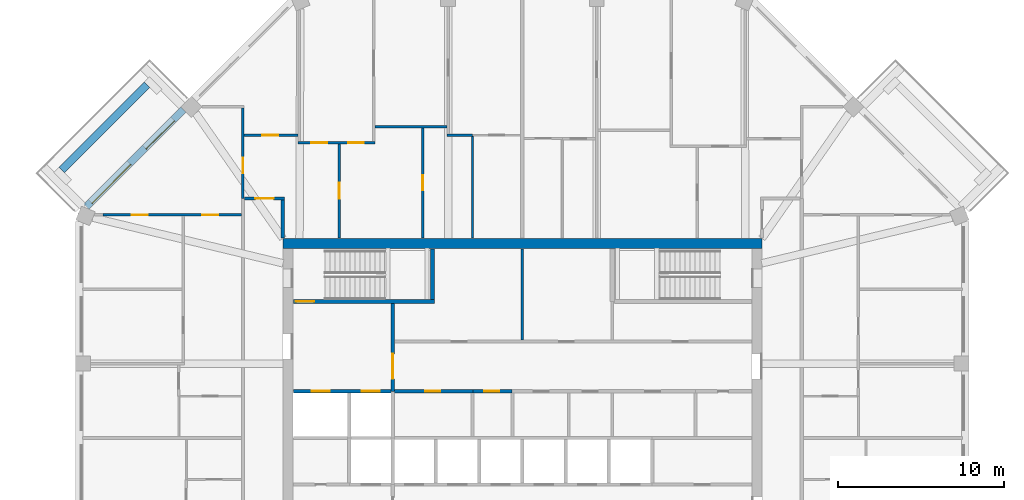
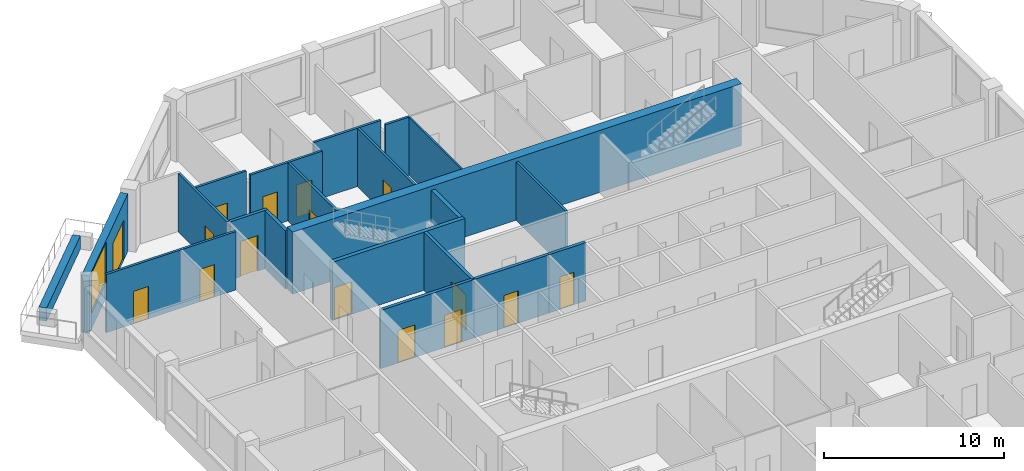
# One storey, part 7 of 11: 21 walls, 16 doors, 1 window, 17 openings.
"""IFC4 building model written with IfcOpenShell, lengths in metres."""

import ifcopenshell
import ifcopenshell.guid

model = None  # the IFC model being written
_history = None  # IfcOwnerHistory: only IFC2X3 demands one
_inside = {}  # id of a spatial element -> (the spatial element, [elements in it])
_under = {}  # id of a project, library or spatial element -> (it, [spatial elements below it])
_declared = {}  # id of a project -> (the project, [libraries it declares])
_typed = {}  # id of a type object -> (the type object, [elements of that type])
_made_of = {}  # id of a material, layer set ... -> (it, [elements and type objects made of it])


def new_model(schema):
    """Start an empty IFC model of exactly this schema.

    Asked for "IFC4X3", IfcOpenShell would pick the latest addendum, in which some entities
    have other attributes; the version numbers below select the first issue.
    IFC2X3 requires an IfcOwnerHistory on every rooted entity: one is made here for all.
    """
    global model, _history
    if schema == "IFC4X3":
        model = ifcopenshell.file(schema_version=(4, 3, 0, 0))
    else:
        model = ifcopenshell.file(schema=schema)
    _inside.clear()
    _under.clear()
    _declared.clear()
    _typed.clear()
    _made_of.clear()
    _history = None
    if model.schema == "IFC2X3":
        org = make("IfcOrganization", Name="unknown")
        user = make(
            "IfcPersonAndOrganization",
            ThePerson=make("IfcPerson", FamilyName="unknown"),
            TheOrganization=org,
        )
        app = make(
            "IfcApplication",
            ApplicationDeveloper=org,
            Version="unknown",
            ApplicationFullName="unknown",
            ApplicationIdentifier="unknown",
        )
        _history = make(
            "IfcOwnerHistory",
            OwningUser=user,
            OwningApplication=app,
            ChangeAction="ADDED",
            CreationDate=0,
        )
    return model


def make(cls, **values):
    """One entity of the class cls with the attributes given. An attribute that is None is left unset."""
    return model.create_entity(
        cls, **{name: value for name, value in values.items() if value is not None}
    )


def rooted(cls, **values):
    """An entity with a GlobalId (a new one), such as an element, a storey or a relation."""
    return make(cls, GlobalId=ifcopenshell.guid.new(), OwnerHistory=_history, **values)


def si_unit(unit_type, name, prefix=None):
    """IfcSIUnit, for example si_unit("LENGTHUNIT", "METRE", prefix="MILLI")."""
    return make("IfcSIUnit", UnitType=unit_type, Prefix=prefix, Name=name)


def assignment(units):
    """IfcUnitAssignment: the units of a project."""
    return None if units is None else make("IfcUnitAssignment", Units=units)


def point(xyz):
    """IfcCartesianPoint."""
    return None if xyz is None else make("IfcCartesianPoint", Coordinates=xyz)


def direction(xyz):
    """IfcDirection."""
    return None if xyz is None else make("IfcDirection", DirectionRatios=xyz)


def frame(location, z_axis=None, x_axis=None):
    """IfcAxis2Placement3D, a coordinate frame: its origin and axes. An axis left out is left unset."""
    return make(
        "IfcAxis2Placement3D",
        Location=point(location),
        Axis=direction(z_axis),
        RefDirection=direction(x_axis),
    )


def frame_2d(location, x_axis=None):
    """IfcAxis2Placement2D, a coordinate frame in the plane: its origin and x axis."""
    return make(
        "IfcAxis2Placement2D", Location=point(location), RefDirection=direction(x_axis)
    )


def origin():
    """The frame at (0, 0, 0) with its axes left unset."""
    return frame((0.0, 0.0, 0.0))


def place(relative_to, where):
    """IfcLocalPlacement: puts the frame where relative to a parent placement (None: the world)."""
    return make(
        "IfcLocalPlacement", PlacementRelTo=relative_to, RelativePlacement=where
    )


def context(
    kind, dimensions, precision=None, world=None, true_north=None, identifier=None
):
    """IfcGeometricRepresentationContext, for example the 3D "Model" context."""
    return make(
        "IfcGeometricRepresentationContext",
        ContextIdentifier=identifier,
        ContextType=kind,
        CoordinateSpaceDimension=dimensions,
        Precision=precision,
        WorldCoordinateSystem=world,
        TrueNorth=true_north,
    )


def subcontext(parent, identifier, kind, view, scale=None):
    """IfcGeometricRepresentationSubContext, for example "Body" below "Model"."""
    return make(
        "IfcGeometricRepresentationSubContext",
        ContextIdentifier=identifier,
        ContextType=kind,
        ParentContext=parent,
        TargetScale=scale,
        TargetView=view,
    )


def project(units=None, contexts=None):
    """IfcProject with its units and contexts."""
    return rooted(
        "IfcProject",
        Name="project",
        RepresentationContexts=contexts,
        UnitsInContext=assignment(units),
    )


def spatial(cls, under=None, at=None, **own):
    """A site, building, storey or space (cls), placed at a placement, below another one or the project."""
    s = rooted(cls, ObjectPlacement=at, **own)
    if under is not None:
        _under.setdefault(under.id(), (under, []))[1].append(s)
    return s


def profile(cls, at=None, kind="AREA", **sizes):
    """A parametric profile (cls). Its sizes go by their IFC names, for example OverallWidth=200.0."""
    return make(cls, ProfileType=kind, Position=at, **sizes)


def rectangle(**sizes):
    """IfcRectangleProfileDef."""
    return profile("IfcRectangleProfileDef", **sizes)


def extrude(swept, where, along, depth):
    """IfcExtrudedAreaSolid: the profile swept, set in the frame where, extruded along a direction by depth."""
    return make(
        "IfcExtrudedAreaSolid",
        SweptArea=swept,
        Position=where,
        ExtrudedDirection=direction(along),
        Depth=depth,
    )


def shape(context_of_items, identifier, shape_type, items):
    """IfcShapeRepresentation: the items that make up one representation, for example the "Body"."""
    return make(
        "IfcShapeRepresentation",
        ContextOfItems=context_of_items,
        RepresentationIdentifier=identifier,
        RepresentationType=shape_type,
        Items=items,
    )


def material(Name=None, Category=None):
    """IfcMaterial."""
    return make("IfcMaterial", Name=Name, Category=Category)


def layer(
    of_material, thickness, ventilated=None, Name=None, Category=None, Priority=None
):
    """IfcMaterialLayer: one layer of a wall or slab, of a material (None: an air gap)."""
    return make(
        "IfcMaterialLayer",
        Material=of_material,
        LayerThickness=thickness,
        IsVentilated=ventilated,
        Name=Name,
        Category=Category,
        Priority=Priority,
    )


def layer_set(layers, Name=None):
    """IfcMaterialLayerSet."""
    return make("IfcMaterialLayerSet", MaterialLayers=layers, LayerSetName=Name)


def made_of(thing, what):
    """Note that an element or type object is made of a material, layer set ...; save() writes the relation."""
    if what is not None:
        _made_of.setdefault(what.id(), (what, []))[1].append(thing)
    return thing


def type_object(cls, material=None, **own):
    """A type object (cls), such as IfcWallType, which elements share."""
    return made_of(rooted(cls, **own), material)


def element(
    cls,
    number,
    at=None,
    inside=None,
    cuts=None,
    type_object=None,
    material=None,
    context=None,
    identifier="Body",
    shape_type=None,
    held_by="IfcProductDefinitionShape",
    body=None,
    shapes=None,
    **own,
):
    """One element of the class cls, such as IfcWall. Its Tag is "e" and its number.

    at: its placement. inside: the storey or other place that contains it. cuts: it is an
    opening in that element (IfcRelVoidsElement). A single representation is given by context,
    identifier, shape_type and body (its items); several are given by shapes. held_by: the class
    of the entity that holds the representations. save() writes the other relations.
    """
    e = rooted(cls, Tag="e%d" % number, ObjectPlacement=at, **own)
    if body is not None:
        shapes = [shape(context, identifier, shape_type, body)]
    if shapes is not None:
        e.Representation = make(held_by, Representations=shapes)
    if inside is not None:
        _inside.setdefault(inside.id(), (inside, []))[1].append(e)
    if cuts is not None:
        rooted(
            "IfcRelVoidsElement", RelatingBuildingElement=cuts, RelatedOpeningElement=e
        )
    if type_object is not None:
        _typed.setdefault(type_object.id(), (type_object, []))[1].append(e)
    return made_of(e, material)


def fill(opening, filler):
    """IfcRelFillsElement: the door or window that sits in an opening."""
    return rooted(
        "IfcRelFillsElement",
        RelatingOpeningElement=opening,
        RelatedBuildingElement=filler,
    )


def aggregate(whole, parts):
    """IfcRelAggregates: a whole, such as a stair, and the parts it consists of."""
    return rooted("IfcRelAggregates", RelatingObject=whole, RelatedObjects=parts)


def save(model, path):
    """Write the relations noted so far, then the file.

    IfcRelAggregates (storeys below a building ...), IfcRelContainedInSpatialStructure (elements
    in a storey), IfcRelDefinesByType, IfcRelAssociatesMaterial and IfcRelDeclares: one each for
    every whole, place, type object, material and project.
    """
    for whole, parts in _under.values():
        aggregate(whole, parts)
    for where, things in _inside.values():
        rooted(
            "IfcRelContainedInSpatialStructure",
            RelatedElements=things,
            RelatingStructure=where,
        )
    for kind, things in _typed.values():
        rooted("IfcRelDefinesByType", RelatedObjects=things, RelatingType=kind)
    for what, things in _made_of.values():
        rooted("IfcRelAssociatesMaterial", RelatedObjects=things, RelatingMaterial=what)
    for by, libraries in _declared.values():
        rooted("IfcRelDeclares", RelatingContext=by, RelatedDefinitions=libraries)
    model.write(path)


model = new_model("IFC4")

# Units and contexts
model_context = context("Model", 3, precision=1e-05, world=origin(), true_north=direction((0.0, 1.0)))
body_context = subcontext(model_context, "Body", "Model", "MODEL_VIEW")
ifc_project = project(units=[si_unit("LENGTHUNIT", "METRE"), si_unit("AREAUNIT", "SQUARE_METRE"), si_unit("VOLUMEUNIT", "CUBIC_METRE"), si_unit("PLANEANGLEUNIT", "RADIAN"), si_unit("MASSUNIT", "GRAM", prefix="KILO")], contexts=[model_context])

# Site, building, storey
site_placement = place(None, origin())
site = spatial("IfcSite", under=ifc_project, at=site_placement, CompositionType="ELEMENT")
building_placement = place(site_placement, origin())
building = spatial("IfcBuilding", under=site, at=building_placement, Name="Msitu Wima Residences", CompositionType="ELEMENT")
storey_placement = place(building_placement, frame((0.0, 0.0, 234.89990234375)))
storey = spatial("IfcBuildingStorey", under=building, at=storey_placement, Name="L54", CompositionType="ELEMENT", Elevation=234.89990234375)

# Wall
ifc_material_1 = material(Name="Facing brick")
ifc_layer_1 = layer(ifc_material_1, 0.06494140625, Name="Facing brick")
ifc_material_2 = material(Name="Concrete C40/50", Category="concrete")
ifc_layer_2 = layer(ifc_material_2, 0.156005859375, Name="Concrete C40/50")
ifc_material_3 = material(Name="Waterproofing membrane")
ifc_layer_3 = layer(ifc_material_3, 0.00390625, Name="Waterproofing membrane")
ifc_material_4 = material(Name="Planting soil and planting")
ifc_layer_4 = layer(ifc_material_4, 0.22509765625, Name="Planting soil and planting")
ifc_layer_set_1 = layer_set([ifc_layer_1, ifc_layer_2, ifc_layer_3, ifc_layer_4], Name="Concrete C40/50")
wall_type_1 = type_object("IfcWallType", Name="Balcony planter PLANTER PL450", PredefinedType="USERDEFINED", material=ifc_layer_set_1)
wall_1_placement = place(storey_placement, frame((-22.572265625, 21.228759765625, 0.0), z_axis=(0.0, 0.0, 1.0), x_axis=(-0.707106781187, -0.707106781187, 0.0)))
element("IfcWall", 1, at=wall_1_placement, inside=storey, type_object=wall_type_1, Name="Balcony planter NW1 L54", ObjectType="PLANTER", PredefinedType="USERDEFINED", context=body_context, shape_type="SweptSolid", body=[
    extrude(rectangle(XDim=7.23828125, YDim=0.449951171875, at=frame_2d((3.619140625, 0.0))), origin(), (0.0, 0.0, 1.0), 0.900146484375),
])

# Wall, openings, door, window
ifc_material_5 = material(Name="Brick (red buff mix)", Category="masonry")
ifc_layer_5 = layer(ifc_material_5, 0.449951171875)
ifc_layer_set_2 = layer_set([ifc_layer_5], Name="Brick (red buff mix)")
wall_type_2 = type_object("IfcWallType", Name="Brick infill wall BW450", PredefinedType="SOLIDWALL", material=ifc_layer_set_2)
wall_2_placement = place(storey_placement, frame((-20.380126953125, 19.743896484375, 0.0), z_axis=(0.0, 0.0, 1.0), x_axis=(-0.707106781187, -0.707106781187, 0.0)))
wall_2 = element("IfcWall", 2, at=wall_2_placement, inside=storey, type_object=wall_type_2, Name="Brick infill wall L54 NW1", PredefinedType="SOLIDWALL", context=body_context, shape_type="SweptSolid", body=[
    extrude(rectangle(XDim=8.251220703125, YDim=0.449951171875, at=frame_2d((4.12548828125, 0.0))), origin(), (0.0, 0.0, 1.0), 3.900146484375),
])
opening_1_placement = place(wall_2_placement, frame((0.86279296875, 0.0, 0.0)))
opening_1 = element("IfcOpeningElement", 3, at=opening_1_placement, cuts=wall_2, Name="Opening D52-54.004", PredefinedType="OPENING", context=body_context, shape_type="SweptSolid", body=[
    extrude(rectangle(XDim=2.39990234375, YDim=2.699951171875, at=frame_2d((1.199951171875, 1.35009765625))), frame((0.0, 0.23486328125, 0.0), z_axis=(0.0, -1.0, 0.0), x_axis=(1.0, 0.0, 0.0)), (0.0, 0.0, 1.0), 0.469970703125),
])
opening_2_placement = place(wall_2_placement, frame((4.57568359375, 0.0, 1.050048828125)))
opening_2 = element("IfcOpeningElement", 4, at=opening_2_placement, cuts=wall_2, Name="Opening W52-54.016", PredefinedType="OPENING", context=body_context, shape_type="SweptSolid", body=[
    extrude(rectangle(XDim=3.300048828125, YDim=2.699951171875, at=frame_2d((1.64990234375, 1.35009765625))), frame((0.0, 0.23486328125, 0.0), z_axis=(0.0, -1.0, 0.0), x_axis=(1.0, 0.0, 0.0)), (0.0, 0.0, 1.0), 0.469970703125),
])
ifc_material_6 = material(Name="Anodised aluminium, bronze finish, clear low-emissivity double glazing", Category="aluminium")
door_type_1 = type_object("IfcDoorType", Name="Balcony door D2400x2700", OperationType="SLIDING_TO_LEFT", PredefinedType="DOOR", material=ifc_material_6)
door_1_placement = place(opening_1_placement, origin())
door_1 = element("IfcDoor", 5, at=door_1_placement, inside=storey, type_object=door_type_1, Name="Balcony door L54 NW1", OperationType="SINGLE_SWING_LEFT", OverallHeight=2.699951171875, OverallWidth=2.39990234375, PredefinedType="DOOR", context=body_context, shape_type="SweptSolid", body=[
    extrude(rectangle(XDim=2.39990234375, YDim=2.699951171875, at=frame_2d((1.199951171875, 1.35009765625))), frame((0.0, 0.1298828125, 0.0), z_axis=(0.0, -1.0, 0.0), x_axis=(1.0, 0.0, 0.0)), (0.0, 0.0, 1.0), 0.050048828125),
])
fill(opening_1, door_1)
window_type = type_object("IfcWindowType", Name="Window W3300x2700", PartitioningType="DOUBLE_PANEL_VERTICAL", PredefinedType="WINDOW", material=ifc_material_6)
window_placement = place(opening_2_placement, origin())
window = element("IfcWindow", 6, at=window_placement, inside=storey, type_object=window_type, Name="Window L54 NW1.2", OverallHeight=2.699951171875, OverallWidth=3.300048828125, PartitioningType="SINGLE_PANEL", PredefinedType="WINDOW", context=body_context, shape_type="SweptSolid", body=[
    extrude(rectangle(XDim=3.300048828125, YDim=2.699951171875, at=frame_2d((1.64990234375, 1.35009765625))), frame((0.0, 0.135009765625, 0.0), z_axis=(0.0, -1.0, 0.0), x_axis=(1.0, 0.0, 0.0)), (0.0, 0.0, 1.0), 0.06005859375),
])
fill(opening_2, window)

# Wall
ifc_material_7 = material(Name="Concrete C50/60", Category="concrete")
ifc_layer_6 = layer(ifc_material_7, 0.60009765625)
ifc_layer_set_3 = layer_set([ifc_layer_6], Name="Concrete C50/60")
wall_type_3 = type_object("IfcWallType", Name="Core wall CW600 C50/60", PredefinedType="SHEAR", material=ifc_layer_set_3)
wall_3_placement = place(storey_placement, frame((-14.39990234375, 11.699951171875, 0.0), z_axis=(0.0, 0.0, 1.0), x_axis=(1.0, 0.0, 0.0)))
element("IfcWall", 7, at=wall_3_placement, inside=storey, type_object=wall_type_3, Name="Core wall", PredefinedType="SHEAR", context=body_context, shape_type="SweptSolid", body=[
    extrude(rectangle(XDim=28.7998046875, YDim=0.60009765625, at=frame_2d((14.39990234375, 0.0))), origin(), (0.0, 0.0, 1.0), 4.2001953125),
])

# Wall, opening, door
ifc_material_8 = material(Name="Plaster")
ifc_layer_7 = layer(ifc_material_8, 0.011962890625, Name="Plaster")
ifc_material_9 = material(Name="Concrete blockwork", Category="masonry")
ifc_layer_8 = layer(ifc_material_9, 0.176025390625, Name="Concrete blockwork")
ifc_layer_9 = layer(ifc_material_8, 0.011962890625, Name="Plaster")
ifc_layer_set_4 = layer_set([ifc_layer_7, ifc_layer_8, ifc_layer_9], Name="Concrete blockwork")
wall_type_4 = type_object("IfcWallType", Name="Corridor wall FW200", PredefinedType="PARTITIONING", material=ifc_layer_set_4)
wall_4_placement = place(storey_placement, frame((-16.699951171875, 14.39990234375, 0.0), z_axis=(0.0, 0.0, 1.0), x_axis=(1.0, 0.0, 0.0)))
wall_4 = element("IfcWall", 8, at=wall_4_placement, inside=storey, type_object=wall_type_4, Name="Corridor wall", PredefinedType="PARTITIONING", context=body_context, shape_type="SweptSolid", body=[
    extrude(rectangle(XDim=2.39990234375, YDim=0.199951171875, at=frame_2d((1.199951171875, 0.0))), origin(), (0.0, 0.0, 1.0), 3.9501953125),
])
opening_3_placement = place(wall_4_placement, frame((0.64990234375, 0.0, 0.0)))
opening_3 = element("IfcOpeningElement", 9, at=opening_3_placement, cuts=wall_4, Name="Opening D52-54.022", PredefinedType="OPENING", context=body_context, shape_type="SweptSolid", body=[
    extrude(rectangle(XDim=1.10009765625, YDim=2.39990234375, at=frame_2d((0.550048828125, 1.199951171875))), frame((0.0, 0.10986328125, 0.0), z_axis=(0.0, -1.0, 0.0), x_axis=(1.0, 0.0, 0.0)), (0.0, 0.0, 1.0), 0.219970703125),
])
ifc_material_10 = material(Name="Timber flush door, fire resisting, self-closing", Category="wood")
door_type_2 = type_object("IfcDoorType", Name="Flat entrance door D01 1100x2400", OperationType="SINGLE_SWING_LEFT", PredefinedType="DOOR", material=ifc_material_10)
door_2_placement = place(opening_3_placement, origin())
door_2 = element("IfcDoor", 10, at=door_2_placement, inside=storey, type_object=door_type_2, Name="Flat entrance door", OperationType="SINGLE_SWING_LEFT", OverallHeight=2.39990234375, OverallWidth=1.10009765625, PredefinedType="DOOR", context=body_context, shape_type="SweptSolid", body=[
    extrude(rectangle(XDim=1.10009765625, YDim=2.39990234375, at=frame_2d((0.550048828125, 1.199951171875))), frame((0.0, 0.02490234375, 0.0), z_axis=(0.0, -1.0, 0.0), x_axis=(1.0, 0.0, 0.0)), (0.0, 0.0, 1.0), 0.050048828125),
])
fill(opening_3, door_2)

# Wall
wall_5_placement = place(storey_placement, frame((-14.39990234375, 12.030029296875, 0.0), z_axis=(0.0, 0.0, 1.0), x_axis=(0.0, 1.0, 0.0)))
element("IfcWall", 11, at=wall_5_placement, inside=storey, type_object=wall_type_4, Name="Corridor wall", PredefinedType="PARTITIONING", context=body_context, shape_type="SweptSolid", body=[
    extrude(rectangle(XDim=2.27001953125, YDim=0.199951171875, at=frame_2d((1.135009765625, 0.0))), origin(), (0.0, 0.0, 1.0), 3.9501953125),
])

# Wall, opening, door
wall_6_placement = place(storey_placement, frame((-7.800048828125, 2.800048828125, 0.0), z_axis=(0.0, 0.0, 1.0), x_axis=(1.0, 0.0, 0.0)))
wall_6 = element("IfcWall", 12, at=wall_6_placement, inside=storey, type_object=wall_type_4, Name="Corridor wall", PredefinedType="PARTITIONING", context=body_context, shape_type="SweptSolid", body=[
    extrude(rectangle(XDim=4.820068359375, YDim=0.199951171875, at=frame_2d((2.41015625, 0.0))), origin(), (0.0, 0.0, 1.0), 3.9501953125),
])
opening_4_placement = place(wall_6_placement, frame((1.949951171875, 0.0, 0.0)))
opening_4 = element("IfcOpeningElement", 13, at=opening_4_placement, cuts=wall_6, Name="Opening D52-54.078", PredefinedType="OPENING", context=body_context, shape_type="SweptSolid", body=[
    extrude(rectangle(XDim=0.89990234375, YDim=2.199951171875, at=frame_2d((0.449951171875, 1.10009765625))), frame((0.0, 0.10986328125, 0.0), z_axis=(0.0, -1.0, 0.0), x_axis=(1.0, 0.0, 0.0)), (0.0, 0.0, 1.0), 0.219970703125),
])
ifc_material_11 = material(Name="Timber flush door", Category="wood")
door_type_3 = type_object("IfcDoorType", Name="Service door D05 900x2200", OperationType="SINGLE_SWING_LEFT", PredefinedType="DOOR", material=ifc_material_11)
door_3_placement = place(opening_4_placement, origin())
door_3 = element("IfcDoor", 14, at=door_3_placement, inside=storey, type_object=door_type_3, Name="Service door", OperationType="SINGLE_SWING_RIGHT", OverallHeight=2.199951171875, OverallWidth=0.89990234375, PredefinedType="DOOR", context=body_context, shape_type="SweptSolid", body=[
    extrude(rectangle(XDim=0.89990234375, YDim=2.199951171875, at=frame_2d((0.449951171875, 1.10009765625))), frame((0.0, 0.02490234375, 0.0), z_axis=(0.0, -1.0, 0.0), x_axis=(1.0, 0.0, 0.0)), (0.0, 0.0, 1.0), 0.050048828125),
])
fill(opening_4, door_3)

wall_7_placement = place(storey_placement, frame((-7.800048828125, 2.800048828125, 0.0), z_axis=(0.0, 0.0, 1.0), x_axis=(0.0, 1.0, 0.0)))
wall_7 = element("IfcWall", 15, at=wall_7_placement, inside=storey, type_object=wall_type_4, Name="Corridor wall", PredefinedType="PARTITIONING", context=body_context, shape_type="SweptSolid", body=[
    extrude(rectangle(XDim=5.27490234375, YDim=0.199951171875, at=frame_2d((2.637451171875, 0.0))), origin(), (0.0, 0.0, 1.0), 3.9501953125),
])
opening_5_placement = place(wall_7_placement, frame((0.75, 0.0, 0.0)))
opening_5 = element("IfcOpeningElement", 16, at=opening_5_placement, cuts=wall_7, Name="Opening D52-54.068", PredefinedType="OPENING", context=body_context, shape_type="SweptSolid", body=[
    extrude(rectangle(XDim=1.5, YDim=2.39990234375, at=frame_2d((0.75, 1.199951171875))), frame((0.0, 0.10986328125, 0.0), z_axis=(0.0, -1.0, 0.0), x_axis=(1.0, 0.0, 0.0)), (0.0, 0.0, 1.0), 0.219970703125),
])
ifc_material_12 = material(Name="Steel framed glazed door, fire resisting", Category="steel")
door_type_4 = type_object("IfcDoorType", Name="Lobby door D07 1500x2400", OperationType="DOUBLE_DOOR_SINGLE_SWING", PredefinedType="DOOR", material=ifc_material_12)
door_4_placement = place(opening_5_placement, origin())
door_4 = element("IfcDoor", 17, at=door_4_placement, inside=storey, type_object=door_type_4, Name="Lobby door", OperationType="DOUBLE_DOOR_SINGLE_SWING", OverallHeight=2.39990234375, OverallWidth=1.5, PredefinedType="DOOR", context=body_context, shape_type="SweptSolid", body=[
    extrude(rectangle(XDim=1.5, YDim=2.39990234375, at=frame_2d((0.75, 1.199951171875))), frame((0.0, 0.02490234375, 0.0), z_axis=(0.0, -1.0, 0.0), x_axis=(1.0, 0.0, 0.0)), (0.0, 0.0, 1.0), 0.050048828125),
])
fill(opening_5, door_4)

# Wall, openings, doors
ifc_layer_10 = layer(ifc_material_8, 0.011962890625, Name="Plaster")
ifc_layer_11 = layer(ifc_material_9, 0.1259765625, Name="Concrete blockwork")
ifc_layer_12 = layer(ifc_material_8, 0.011962890625, Name="Plaster")
ifc_layer_set_5 = layer_set([ifc_layer_10, ifc_layer_11, ifc_layer_12], Name="Concrete blockwork")
wall_type_5 = type_object("IfcWallType", Name="Partition PW150", PredefinedType="PARTITIONING", material=ifc_layer_set_5)
wall_8_placement = place(storey_placement, frame((-25.22412109375, 13.406005859375, 0.0), z_axis=(0.0, 0.0, 1.0), x_axis=(1.0, 0.0, 0.0)))
wall_8 = element("IfcWall", 18, at=wall_8_placement, inside=storey, type_object=wall_type_5, Name="Partition", PredefinedType="PARTITIONING", context=body_context, shape_type="SweptSolid", body=[
    extrude(rectangle(XDim=8.32421875, YDim=0.14990234375, at=frame_2d((4.162109375, 0.0))), origin(), (0.0, 0.0, 1.0), 3.9501953125),
])
opening_6_placement = place(wall_8_placement, frame((5.992919921875, 0.0, 0.0)))
opening_6 = element("IfcOpeningElement", 19, at=opening_6_placement, cuts=wall_8, Name="Opening D52-54.034", PredefinedType="OPENING", context=body_context, shape_type="SweptSolid", body=[
    extrude(rectangle(XDim=0.949951171875, YDim=2.199951171875, at=frame_2d((0.47509765625, 1.10009765625))), frame((0.0, 0.0849609375, 0.0), z_axis=(0.0, -1.0, 0.0), x_axis=(1.0, 0.0, 0.0)), (0.0, 0.0, 1.0), 0.169921875),
])
opening_7_placement = place(wall_8_placement, frame((1.742919921875, 0.0, 0.0)))
opening_7 = element("IfcOpeningElement", 20, at=opening_7_placement, cuts=wall_8, Name="Opening D52-54.024", PredefinedType="OPENING", context=body_context, shape_type="SweptSolid", body=[
    extrude(rectangle(XDim=0.949951171875, YDim=2.199951171875, at=frame_2d((0.47509765625, 1.10009765625))), frame((0.0, 0.0849609375, 0.0), z_axis=(0.0, -1.0, 0.0), x_axis=(1.0, 0.0, 0.0)), (0.0, 0.0, 1.0), 0.169921875),
])
door_type_5 = type_object("IfcDoorType", Name="Room door D12 950x2200", OperationType="SINGLE_SWING_LEFT", PredefinedType="DOOR", material=ifc_material_11)
door_5_placement = place(opening_6_placement, origin())
door_5 = element("IfcDoor", 21, at=door_5_placement, inside=storey, type_object=door_type_5, Name="Room door", OperationType="SINGLE_SWING_RIGHT", OverallHeight=2.199951171875, OverallWidth=0.949951171875, PredefinedType="DOOR", context=body_context, shape_type="SweptSolid", body=[
    extrude(rectangle(XDim=0.949951171875, YDim=2.199951171875, at=frame_2d((0.47509765625, 1.10009765625))), frame((0.0, 0.02490234375, 0.0), z_axis=(0.0, -1.0, 0.0), x_axis=(1.0, 0.0, 0.0)), (0.0, 0.0, 1.0), 0.050048828125),
])
fill(opening_6, door_5)
door_6_placement = place(opening_7_placement, origin())
door_6 = element("IfcDoor", 22, at=door_6_placement, inside=storey, type_object=door_type_5, Name="Room door", OperationType="SINGLE_SWING_LEFT", OverallHeight=2.199951171875, OverallWidth=0.949951171875, PredefinedType="DOOR", context=body_context, shape_type="SweptSolid", body=[
    extrude(rectangle(XDim=0.949951171875, YDim=2.199951171875, at=frame_2d((0.47509765625, 1.10009765625))), frame((0.0, 0.02490234375, 0.0), z_axis=(0.0, -1.0, 0.0), x_axis=(1.0, 0.0, 0.0)), (0.0, 0.0, 1.0), 0.050048828125),
])
fill(opening_7, door_6)

# Wall, opening, door
wall_9_placement = place(storey_placement, frame((-16.800048828125, 14.39990234375, 0.0), z_axis=(0.0, 0.0, 1.0), x_axis=(0.0, 1.0, 0.0)))
wall_9 = element("IfcWall", 23, at=wall_9_placement, inside=storey, type_object=wall_type_5, Name="Partition", PredefinedType="PARTITIONING", context=body_context, shape_type="SweptSolid", body=[
    extrude(rectangle(XDim=5.427978515625, YDim=0.14990234375, at=frame_2d((2.7138671875, 0.0))), origin(), (0.0, 0.0, 1.0), 3.9501953125),
])
opening_8_placement = place(wall_9_placement, frame((1.5, 0.0, 0.0)))
opening_8 = element("IfcOpeningElement", 24, at=opening_8_placement, cuts=wall_9, Name="Opening D52-54.031", PredefinedType="OPENING", context=body_context, shape_type="SweptSolid", body=[
    extrude(rectangle(XDim=0.949951171875, YDim=2.199951171875, at=frame_2d((0.47509765625, 1.10009765625))), frame((0.0, 0.0849609375, 0.0), z_axis=(0.0, -1.0, 0.0), x_axis=(1.0, 0.0, 0.0)), (0.0, 0.0, 1.0), 0.169921875),
])
door_7_placement = place(opening_8_placement, origin())
door_7 = element("IfcDoor", 25, at=door_7_placement, inside=storey, type_object=door_type_5, Name="Room door", OperationType="SINGLE_SWING_LEFT", OverallHeight=2.199951171875, OverallWidth=0.949951171875, PredefinedType="DOOR", context=body_context, shape_type="SweptSolid", body=[
    extrude(rectangle(XDim=0.949951171875, YDim=2.199951171875, at=frame_2d((0.47509765625, 1.10009765625))), frame((0.0, 0.02490234375, 0.0), z_axis=(0.0, -1.0, 0.0), x_axis=(1.0, 0.0, 0.0)), (0.0, 0.0, 1.0), 0.050048828125),
])
fill(opening_8, door_7)

wall_10_placement = place(storey_placement, frame((-16.72509765625, 18.199951171875, 0.0), z_axis=(0.0, 0.0, 1.0), x_axis=(1.0, 0.0, 0.0)))
wall_10 = element("IfcWall", 26, at=wall_10_placement, inside=storey, type_object=wall_type_5, Name="Partition", PredefinedType="PARTITIONING", context=body_context, shape_type="SweptSolid", body=[
    extrude(rectangle(XDim=3.244140625, YDim=0.14990234375, at=frame_2d((1.6220703125, 0.0))), origin(), (0.0, 0.0, 1.0), 3.9501953125),
])
opening_9_placement = place(wall_10_placement, frame((1.10009765625, 0.0, 0.0)))
opening_9 = element("IfcOpeningElement", 27, at=opening_9_placement, cuts=wall_10, Name="Opening D52-54.030", PredefinedType="OPENING", context=body_context, shape_type="SweptSolid", body=[
    extrude(rectangle(XDim=0.949951171875, YDim=2.199951171875, at=frame_2d((0.47509765625, 1.10009765625))), frame((0.0, 0.0849609375, 0.0), z_axis=(0.0, -1.0, 0.0), x_axis=(1.0, 0.0, 0.0)), (0.0, 0.0, 1.0), 0.169921875),
])
door_8_placement = place(opening_9_placement, origin())
door_8 = element("IfcDoor", 28, at=door_8_placement, inside=storey, type_object=door_type_5, Name="Room door", OperationType="SINGLE_SWING_LEFT", OverallHeight=2.199951171875, OverallWidth=0.949951171875, PredefinedType="DOOR", context=body_context, shape_type="SweptSolid", body=[
    extrude(rectangle(XDim=0.949951171875, YDim=2.199951171875, at=frame_2d((0.47509765625, 1.10009765625))), frame((0.0, 0.02490234375, 0.0), z_axis=(0.0, -1.0, 0.0), x_axis=(1.0, 0.0, 0.0)), (0.0, 0.0, 1.0), 0.050048828125),
])
fill(opening_9, door_8)

# Wall, openings, doors
wall_11_placement = place(storey_placement, frame((-13.48095703125, 17.75, 0.0), z_axis=(0.0, 0.0, 1.0), x_axis=(1.0, 0.0, 0.0)))
wall_11 = element("IfcWall", 29, at=wall_11_placement, inside=storey, type_object=wall_type_5, Name="Partition", PredefinedType="PARTITIONING", context=body_context, shape_type="SweptSolid", body=[
    extrude(rectangle(XDim=4.61865234375, YDim=0.14990234375, at=frame_2d((2.309326171875, 0.0))), origin(), (0.0, 0.0, 1.0), 3.9501953125),
])
opening_10_placement = place(wall_11_placement, frame((0.800048828125, 0.0, 0.0)))
opening_10 = element("IfcOpeningElement", 30, at=opening_10_placement, cuts=wall_11, Name="Opening D52-54.029", PredefinedType="OPENING", context=body_context, shape_type="SweptSolid", body=[
    extrude(rectangle(XDim=0.949951171875, YDim=2.199951171875, at=frame_2d((0.47509765625, 1.10009765625))), frame((0.0, 0.0849609375, 0.0), z_axis=(0.0, -1.0, 0.0), x_axis=(1.0, 0.0, 0.0)), (0.0, 0.0, 1.0), 0.169921875),
])
opening_11_placement = place(wall_11_placement, frame((3.0, 0.0, 0.0)))
opening_11 = element("IfcOpeningElement", 31, at=opening_11_placement, cuts=wall_11, Name="Opening D52-54.028", PredefinedType="OPENING", context=body_context, shape_type="SweptSolid", body=[
    extrude(rectangle(XDim=0.949951171875, YDim=2.199951171875, at=frame_2d((0.47509765625, 1.10009765625))), frame((0.0, 0.0849609375, 0.0), z_axis=(0.0, -1.0, 0.0), x_axis=(1.0, 0.0, 0.0)), (0.0, 0.0, 1.0), 0.169921875),
])
door_9_placement = place(opening_10_placement, origin())
door_9 = element("IfcDoor", 32, at=door_9_placement, inside=storey, type_object=door_type_5, Name="Room door", OperationType="SINGLE_SWING_LEFT", OverallHeight=2.199951171875, OverallWidth=0.949951171875, PredefinedType="DOOR", context=body_context, shape_type="SweptSolid", body=[
    extrude(rectangle(XDim=0.949951171875, YDim=2.199951171875, at=frame_2d((0.47509765625, 1.10009765625))), frame((0.0, 0.02490234375, 0.0), z_axis=(0.0, -1.0, 0.0), x_axis=(1.0, 0.0, 0.0)), (0.0, 0.0, 1.0), 0.050048828125),
])
fill(opening_10, door_9)
door_10_placement = place(opening_11_placement, origin())
door_10 = element("IfcDoor", 33, at=door_10_placement, inside=storey, type_object=door_type_5, Name="Room door", OperationType="SINGLE_SWING_RIGHT", OverallHeight=2.199951171875, OverallWidth=0.949951171875, PredefinedType="DOOR", context=body_context, shape_type="SweptSolid", body=[
    extrude(rectangle(XDim=0.949951171875, YDim=2.199951171875, at=frame_2d((0.47509765625, 1.10009765625))), frame((0.0, 0.02490234375, 0.0), z_axis=(0.0, -1.0, 0.0), x_axis=(1.0, 0.0, 0.0)), (0.0, 0.0, 1.0), 0.050048828125),
])
fill(opening_11, door_10)

# Wall, opening, door
wall_12_placement = place(storey_placement, frame((-11.0, 12.030029296875, 0.0), z_axis=(0.0, 0.0, 1.0), x_axis=(0.0, 1.0, 0.0)))
wall_12 = element("IfcWall", 34, at=wall_12_placement, inside=storey, type_object=wall_type_5, Name="Partition", PredefinedType="PARTITIONING", context=body_context, shape_type="SweptSolid", body=[
    extrude(rectangle(XDim=5.64501953125, YDim=0.14990234375, at=frame_2d((2.822509765625, 0.0))), origin(), (0.0, 0.0, 1.0), 3.9501953125),
])
opening_12_placement = place(wall_12_placement, frame((2.35009765625, 0.0, 0.0)))
opening_12 = element("IfcOpeningElement", 35, at=opening_12_placement, cuts=wall_12, Name="Opening D52-54.023", PredefinedType="OPENING", context=body_context, shape_type="SweptSolid", body=[
    extrude(rectangle(XDim=0.949951171875, YDim=2.199951171875, at=frame_2d((0.47509765625, 1.10009765625))), frame((0.0, 0.0849609375, 0.0), z_axis=(0.0, -1.0, 0.0), x_axis=(1.0, 0.0, 0.0)), (0.0, 0.0, 1.0), 0.169921875),
])
door_11_placement = place(opening_12_placement, origin())
door_11 = element("IfcDoor", 36, at=door_11_placement, inside=storey, type_object=door_type_5, Name="Room door", OperationType="SINGLE_SWING_LEFT", OverallHeight=2.199951171875, OverallWidth=0.949951171875, PredefinedType="DOOR", context=body_context, shape_type="SweptSolid", body=[
    extrude(rectangle(XDim=0.949951171875, YDim=2.199951171875, at=frame_2d((0.47509765625, 1.10009765625))), frame((0.0, 0.02490234375, 0.0), z_axis=(0.0, -1.0, 0.0), x_axis=(1.0, 0.0, 0.0)), (0.0, 0.0, 1.0), 0.050048828125),
])
fill(opening_12, door_11)

# Wall
wall_13_placement = place(storey_placement, frame((-8.8623046875, 18.699951171875, 0.0), z_axis=(0.0, 0.0, 1.0), x_axis=(1.0, 0.0, 0.0)))
element("IfcWall", 37, at=wall_13_placement, inside=storey, type_object=wall_type_5, Name="Partition", PredefinedType="PARTITIONING", context=body_context, shape_type="SweptSolid", body=[
    extrude(rectangle(XDim=4.318603515625, YDim=0.14990234375, at=frame_2d((2.1591796875, 0.0))), origin(), (0.0, 0.0, 1.0), 3.9501953125),
])

# Wall, opening, door
wall_14_placement = place(storey_placement, frame((-6.0, 12.030029296875, 0.0), z_axis=(0.0, 0.0, 1.0), x_axis=(0.0, 1.0, 0.0)))
wall_14 = element("IfcWall", 38, at=wall_14_placement, inside=storey, type_object=wall_type_5, Name="Partition", PredefinedType="PARTITIONING", context=body_context, shape_type="SweptSolid", body=[
    extrude(rectangle(XDim=6.594970703125, YDim=0.14990234375, at=frame_2d((3.29736328125, 0.0))), origin(), (0.0, 0.0, 1.0), 3.9501953125),
])
opening_13_placement = place(wall_14_placement, frame((2.85009765625, 0.0, 0.0)))
opening_13 = element("IfcOpeningElement", 39, at=opening_13_placement, cuts=wall_14, Name="Opening D52-54.032", PredefinedType="OPENING", context=body_context, shape_type="SweptSolid", body=[
    extrude(rectangle(XDim=0.89990234375, YDim=2.199951171875, at=frame_2d((0.449951171875, 1.10009765625))), frame((0.0, 0.0849609375, 0.0), z_axis=(0.0, -1.0, 0.0), x_axis=(1.0, 0.0, 0.0)), (0.0, 0.0, 1.0), 0.169921875),
])
door_12_placement = place(opening_13_placement, origin())
door_12 = element("IfcDoor", 40, at=door_12_placement, inside=storey, type_object=door_type_3, Name="Service door", OperationType="SINGLE_SWING_LEFT", OverallHeight=2.199951171875, OverallWidth=0.89990234375, PredefinedType="DOOR", context=body_context, shape_type="SweptSolid", body=[
    extrude(rectangle(XDim=0.89990234375, YDim=2.199951171875, at=frame_2d((0.449951171875, 1.10009765625))), frame((0.0, 0.02490234375, 0.0), z_axis=(0.0, -1.0, 0.0), x_axis=(1.0, 0.0, 0.0)), (0.0, 0.0, 1.0), 0.050048828125),
])
fill(opening_13, door_12)

# Walls
wall_15_placement = place(storey_placement, frame((-4.543701171875, 18.199951171875, 0.0), z_axis=(0.0, 0.0, 1.0), x_axis=(1.0, 0.0, 0.0)))
element("IfcWall", 41, at=wall_15_placement, inside=storey, type_object=wall_type_5, Name="Partition", PredefinedType="PARTITIONING", context=body_context, shape_type="SweptSolid", body=[
    extrude(rectangle(XDim=1.543701171875, YDim=0.14990234375, at=frame_2d((0.77197265625, 0.0))), origin(), (0.0, 0.0, 1.0), 3.9501953125),
])
wall_16_placement = place(storey_placement, frame((0.0, 5.89990234375, 0.0), z_axis=(0.0, 0.0, 1.0), x_axis=(0.0, 1.0, 0.0)))
element("IfcWall", 42, at=wall_16_placement, inside=storey, type_object=wall_type_5, Name="Partition", PredefinedType="PARTITIONING", context=body_context, shape_type="SweptSolid", body=[
    extrude(rectangle(XDim=5.47021484375, YDim=0.14990234375, at=frame_2d((2.735107421875, 0.0))), origin(), (0.0, 0.0, 1.0), 3.9501953125),
])

# Wall, opening, door
ifc_layer_13 = layer(ifc_material_8, 0.011962890625, Name="Plaster")
ifc_material_13 = material(Name="Reinforced concrete blockwork", Category="masonry")
ifc_layer_14 = layer(ifc_material_13, 0.176025390625, Name="Reinforced concrete blockwork")
ifc_layer_15 = layer(ifc_material_8, 0.011962890625, Name="Plaster")
ifc_layer_set_6 = layer_set([ifc_layer_13, ifc_layer_14, ifc_layer_15], Name="Reinforced concrete blockwork")
wall_type_6 = type_object("IfcWallType", Name="Plant and riser wall PL200", PredefinedType="PARTITIONING", material=ifc_layer_set_6)
wall_17_placement = place(storey_placement, frame((-2.97998046875, 2.800048828125, 0.0), z_axis=(0.0, 0.0, 1.0), x_axis=(1.0, 0.0, 0.0)))
wall_17 = element("IfcWall", 43, at=wall_17_placement, inside=storey, type_object=wall_type_6, Name="Plant and riser wall", PredefinedType="PARTITIONING", context=body_context, shape_type="SweptSolid", body=[
    extrude(rectangle(XDim=2.35986328125, YDim=0.199951171875, at=frame_2d((1.179931640625, 0.0))), origin(), (0.0, 0.0, 1.0), 3.9501953125),
])
opening_14_placement = place(wall_17_placement, frame((0.699951171875, 0.0, 0.0)))
opening_14 = element("IfcOpeningElement", 44, at=opening_14_placement, cuts=wall_17, Name="Opening D52-54.079", PredefinedType="OPENING", context=body_context, shape_type="SweptSolid", body=[
    extrude(rectangle(XDim=0.89990234375, YDim=2.199951171875, at=frame_2d((0.449951171875, 1.10009765625))), frame((0.0, 0.10986328125, 0.0), z_axis=(0.0, -1.0, 0.0), x_axis=(1.0, 0.0, 0.0)), (0.0, 0.0, 1.0), 0.219970703125),
])
door_13_placement = place(opening_14_placement, origin())
door_13 = element("IfcDoor", 45, at=door_13_placement, inside=storey, type_object=door_type_3, Name="Service door", OperationType="SINGLE_SWING_RIGHT", OverallHeight=2.199951171875, OverallWidth=0.89990234375, PredefinedType="DOOR", context=body_context, shape_type="SweptSolid", body=[
    extrude(rectangle(XDim=0.89990234375, YDim=2.199951171875, at=frame_2d((0.449951171875, 1.10009765625))), frame((0.0, 0.02490234375, 0.0), z_axis=(0.0, -1.0, 0.0), x_axis=(1.0, 0.0, 0.0)), (0.0, 0.0, 1.0), 0.050048828125),
])
fill(opening_14, door_13)

# Wall, openings, doors
ifc_material_14 = material(Name="Fire-rated board")
ifc_layer_16 = layer(ifc_material_14, 0.02490234375, Name="Fire-rated board")
ifc_material_15 = material(Name="Light-gauge stud framing with mineral wool")
ifc_layer_17 = layer(ifc_material_15, 0.14990234375, Name="Light-gauge stud framing with mineral wool")
ifc_layer_18 = layer(ifc_material_14, 0.02490234375, Name="Fire-rated board")
ifc_layer_set_7 = layer_set([ifc_layer_16, ifc_layer_17, ifc_layer_18], Name="Light-gauge stud framing with mineral wool")
wall_type_7 = type_object("IfcWallType", Name="Shaft wall SH200", PredefinedType="PARTITIONING", material=ifc_layer_set_7)
wall_18_placement = place(storey_placement, frame((-13.77001953125, 2.800048828125, 0.0), z_axis=(0.0, 0.0, 1.0), x_axis=(1.0, 0.0, 0.0)))
wall_18 = element("IfcWall", 46, at=wall_18_placement, inside=storey, type_object=wall_type_7, Name="Shaft wall", PredefinedType="PARTITIONING", context=body_context, shape_type="SweptSolid", body=[
    extrude(rectangle(XDim=5.969970703125, YDim=0.199951171875, at=frame_2d((2.98486328125, 0.0))), origin(), (0.0, 0.0, 1.0), 3.9501953125),
])
opening_15_placement = place(wall_18_placement, frame((1.10009765625, 0.0, 0.0)))
opening_15 = element("IfcOpeningElement", 47, at=opening_15_placement, cuts=wall_18, Name="Opening LD", PredefinedType="OPENING", context=body_context, shape_type="SweptSolid", body=[
    extrude(rectangle(XDim=1.10009765625, YDim=2.199951171875, at=frame_2d((0.550048828125, 1.10009765625))), frame((0.0, 0.10986328125, 0.0), z_axis=(0.0, -1.0, 0.0), x_axis=(1.0, 0.0, 0.0)), (0.0, 0.0, 1.0), 0.219970703125),
])
opening_16_placement = place(wall_18_placement, frame((4.10009765625, 0.0, 0.0)))
opening_16 = element("IfcOpeningElement", 48, at=opening_16_placement, cuts=wall_18, Name="Opening LD", PredefinedType="OPENING", context=body_context, shape_type="SweptSolid", body=[
    extrude(rectangle(XDim=1.10009765625, YDim=2.199951171875, at=frame_2d((0.550048828125, 1.10009765625))), frame((0.0, 0.10986328125, 0.0), z_axis=(0.0, -1.0, 0.0), x_axis=(1.0, 0.0, 0.0)), (0.0, 0.0, 1.0), 0.219970703125),
])
ifc_material_16 = material(Name="Stainless steel centre-opening landing door, rated", Category="steel")
door_type_6 = type_object("IfcDoorType", Name="Lift landing door LD 1100x2200", OperationType="DOUBLE_DOOR_SLIDING", PredefinedType="DOOR", material=ifc_material_16)
door_14_placement = place(opening_15_placement, origin())
door_14 = element("IfcDoor", 49, at=door_14_placement, inside=storey, type_object=door_type_6, Name="Lift landing door LD1", OperationType="DOUBLE_DOOR_SLIDING", OverallHeight=2.199951171875, OverallWidth=1.10009765625, PredefinedType="DOOR", context=body_context, shape_type="SweptSolid", body=[
    extrude(rectangle(XDim=1.10009765625, YDim=2.199951171875, at=frame_2d((0.550048828125, 1.10009765625))), frame((0.0, 0.02490234375, 0.0), z_axis=(0.0, -1.0, 0.0), x_axis=(1.0, 0.0, 0.0)), (0.0, 0.0, 1.0), 0.050048828125),
])
fill(opening_15, door_14)
door_15_placement = place(opening_16_placement, origin())
door_15 = element("IfcDoor", 50, at=door_15_placement, inside=storey, type_object=door_type_6, Name="Lift landing door LD2", OperationType="DOUBLE_DOOR_SLIDING", OverallHeight=2.199951171875, OverallWidth=1.10009765625, PredefinedType="DOOR", context=body_context, shape_type="SweptSolid", body=[
    extrude(rectangle(XDim=1.10009765625, YDim=2.199951171875, at=frame_2d((0.550048828125, 1.10009765625))), frame((0.0, 0.02490234375, 0.0), z_axis=(0.0, -1.0, 0.0), x_axis=(1.0, 0.0, 0.0)), (0.0, 0.0, 1.0), 0.050048828125),
])
fill(opening_16, door_15)

# Wall, opening, door
ifc_layer_19 = layer(ifc_material_7, 0.25)
ifc_layer_set_8 = layer_set([ifc_layer_19], Name="Concrete C50/60")
wall_type_8 = type_object("IfcWallType", Name="Stair enclosure wall SW250", PredefinedType="SHEAR", material=ifc_layer_set_8)
wall_19_placement = place(storey_placement, frame((-13.77001953125, 8.199951171875, 0.0), z_axis=(0.0, 0.0, 1.0), x_axis=(1.0, 0.0, 0.0)))
wall_19 = element("IfcWall", 51, at=wall_19_placement, inside=storey, type_object=wall_type_8, Name="Stair enclosure wall", PredefinedType="SHEAR", context=body_context, shape_type="SweptSolid", body=[
    extrude(rectangle(XDim=8.4951171875, YDim=0.25, at=frame_2d((4.24755859375, 0.0))), origin(), (0.0, 0.0, 1.0), 3.9501953125),
])
opening_17_placement = place(wall_19_placement, frame((0.14990234375, 0.0, 0.0)))
opening_17 = element("IfcOpeningElement", 52, at=opening_17_placement, cuts=wall_19, Name="Opening D52-54.086", PredefinedType="OPENING", context=body_context, shape_type="SweptSolid", body=[
    extrude(rectangle(XDim=1.10009765625, YDim=2.199951171875, at=frame_2d((0.550048828125, 1.10009765625))), frame((0.0, 0.135009765625, 0.0), z_axis=(0.0, -1.0, 0.0), x_axis=(1.0, 0.0, 0.0)), (0.0, 0.0, 1.0), 0.27001953125),
])
ifc_material_17 = material(Name="Steel door, fire resisting, panic bar", Category="steel")
door_type_7 = type_object("IfcDoorType", Name="Stair door D06 1100x2200", OperationType="SINGLE_SWING_LEFT", PredefinedType="DOOR", material=ifc_material_17)
door_16_placement = place(opening_17_placement, origin())
door_16 = element("IfcDoor", 53, at=door_16_placement, inside=storey, type_object=door_type_7, Name="Stair door", OperationType="SINGLE_SWING_LEFT", OverallHeight=2.199951171875, OverallWidth=1.10009765625, PredefinedType="DOOR", context=body_context, shape_type="SweptSolid", body=[
    extrude(rectangle(XDim=1.10009765625, YDim=2.199951171875, at=frame_2d((0.550048828125, 1.10009765625))), frame((0.0, 0.02490234375, 0.0), z_axis=(0.0, -1.0, 0.0), x_axis=(1.0, 0.0, 0.0)), (0.0, 0.0, 1.0), 0.050048828125),
])
fill(opening_17, door_16)

# Walls
wall_20_placement = place(storey_placement, frame((-5.39990234375, 8.324951171875, 0.0), z_axis=(0.0, 0.0, 1.0), x_axis=(0.0, 1.0, 0.0)))
element("IfcWall", 54, at=wall_20_placement, inside=storey, type_object=wall_type_8, Name="Stair enclosure wall", PredefinedType="SHEAR", context=body_context, shape_type="SweptSolid", body=[
    extrude(rectangle(XDim=3.045166015625, YDim=0.25, at=frame_2d((1.5224609375, 0.0))), origin(), (0.0, 0.0, 1.0), 3.9501953125),
])
ifc_material_18 = material(Name="Ceramic tiles")
ifc_layer_20 = layer(ifc_material_18, 0.008056640625, Name="Ceramic tiles")
ifc_material_19 = material(Name="Moisture-resistant board")
ifc_layer_21 = layer(ifc_material_19, 0.012451171875, Name="Moisture-resistant board")
ifc_layer_22 = layer(ifc_material_15, 0.06689453125, Name="Light-gauge stud framing with mineral wool")
ifc_layer_23 = layer(ifc_material_19, 0.012451171875, Name="Moisture-resistant board")
ifc_layer_set_9 = layer_set([ifc_layer_20, ifc_layer_21, ifc_layer_22, ifc_layer_23], Name="Light-gauge stud framing with mineral wool")
wall_type_9 = type_object("IfcWallType", Name="Wet wall PW100", PredefinedType="PARTITIONING", material=ifc_layer_set_9)
wall_21_placement = place(storey_placement, frame((-3.0, 12.030029296875, 0.0), z_axis=(0.0, 0.0, 1.0), x_axis=(0.0, 1.0, 0.0)))
element("IfcWall", 55, at=wall_21_placement, inside=storey, type_object=wall_type_9, Name="Wet wall", PredefinedType="PARTITIONING", context=body_context, shape_type="SweptSolid", body=[
    extrude(rectangle(XDim=6.094970703125, YDim=0.10009765625, at=frame_2d((3.04736328125, 0.0))), origin(), (0.0, 0.0, 1.0), 3.9501953125),
])

save(model, "model.ifc")
